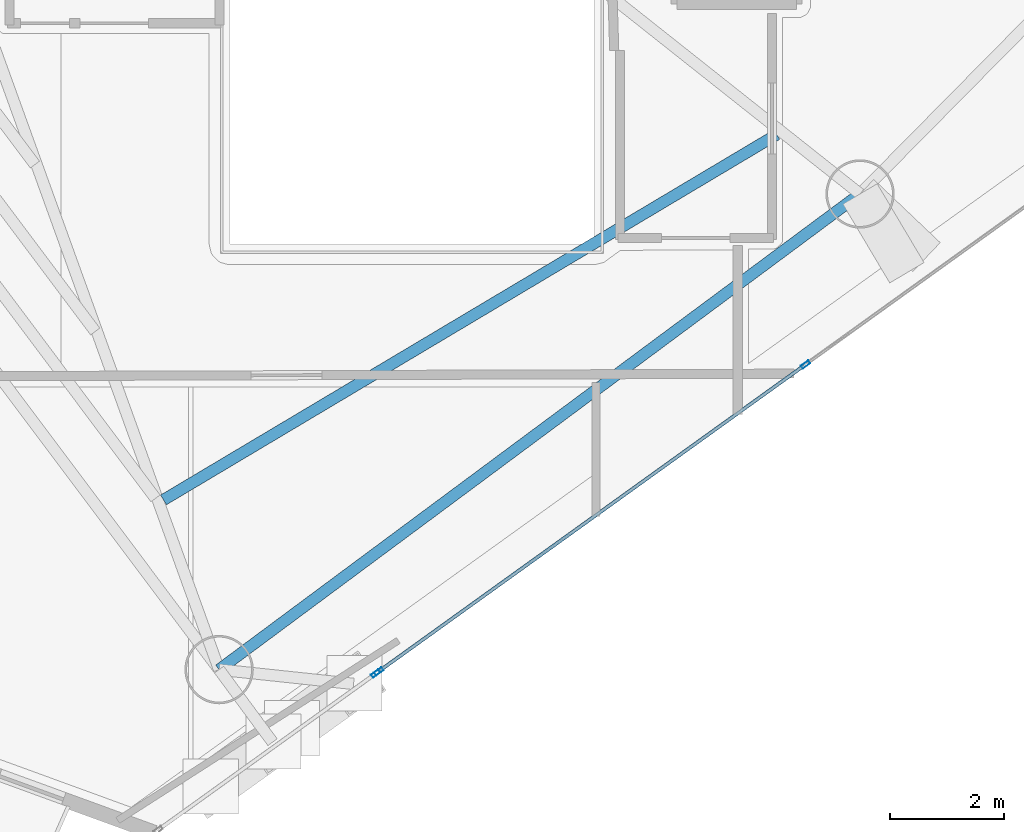
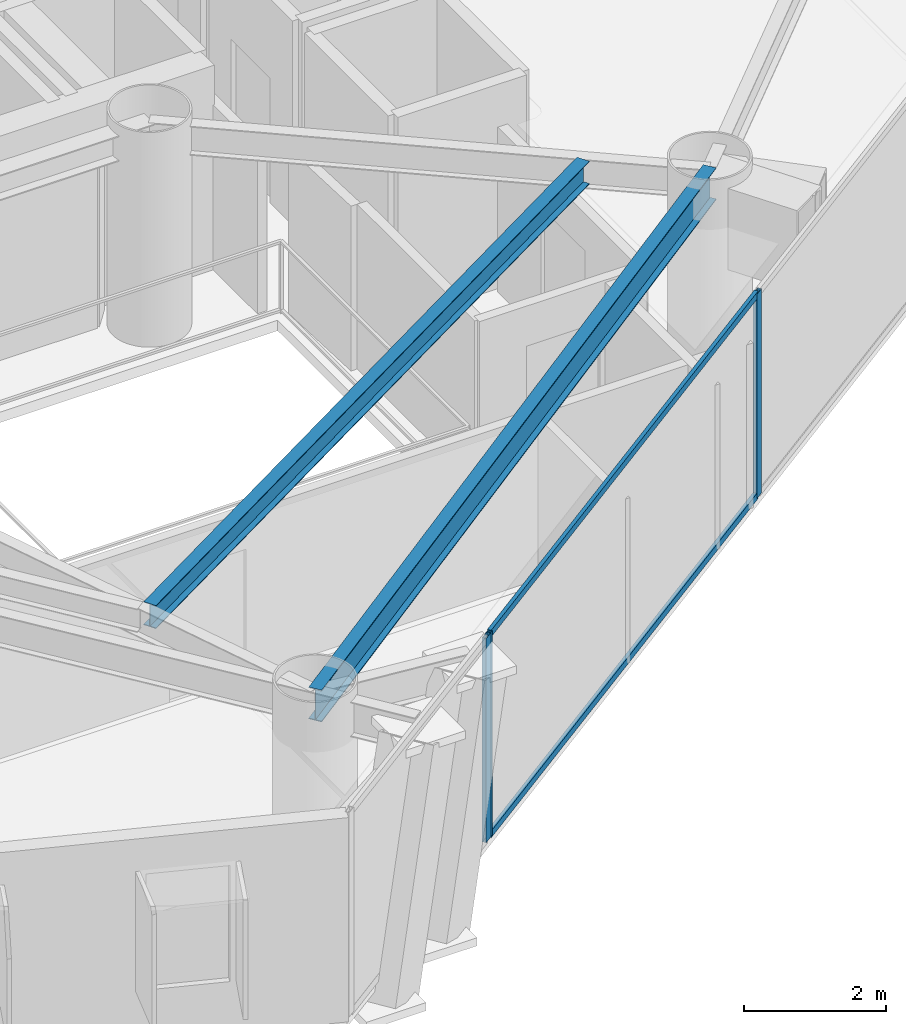
# One storey, part 6 of 22: 5 members, 2 beams, 2 elements without a shape of their own.
"""IFC4 building model written with IfcOpenShell, lengths in metres."""

import ifcopenshell
import ifcopenshell.guid

model = None  # the IFC model being written
_history = None  # IfcOwnerHistory: only IFC2X3 demands one
_inside = {}  # id of a spatial element -> (the spatial element, [elements in it])
_under = {}  # id of a project, library or spatial element -> (it, [spatial elements below it])
_declared = {}  # id of a project -> (the project, [libraries it declares])
_typed = {}  # id of a type object -> (the type object, [elements of that type])
_made_of = {}  # id of a material, layer set ... -> (it, [elements and type objects made of it])


def new_model(schema):
    """Start an empty IFC model of exactly this schema.

    Asked for "IFC4X3", IfcOpenShell would pick the latest addendum, in which some entities
    have other attributes; the version numbers below select the first issue.
    IFC2X3 requires an IfcOwnerHistory on every rooted entity: one is made here for all.
    """
    global model, _history
    if schema == "IFC4X3":
        model = ifcopenshell.file(schema_version=(4, 3, 0, 0))
    else:
        model = ifcopenshell.file(schema=schema)
    _inside.clear()
    _under.clear()
    _declared.clear()
    _typed.clear()
    _made_of.clear()
    _history = None
    if model.schema == "IFC2X3":
        org = make("IfcOrganization", Name="unknown")
        user = make(
            "IfcPersonAndOrganization",
            ThePerson=make("IfcPerson", FamilyName="unknown"),
            TheOrganization=org,
        )
        app = make(
            "IfcApplication",
            ApplicationDeveloper=org,
            Version="unknown",
            ApplicationFullName="unknown",
            ApplicationIdentifier="unknown",
        )
        _history = make(
            "IfcOwnerHistory",
            OwningUser=user,
            OwningApplication=app,
            ChangeAction="ADDED",
            CreationDate=0,
        )
    return model


def make(cls, **values):
    """One entity of the class cls with the attributes given. An attribute that is None is left unset."""
    return model.create_entity(
        cls, **{name: value for name, value in values.items() if value is not None}
    )


def rooted(cls, **values):
    """An entity with a GlobalId (a new one), such as an element, a storey or a relation."""
    return make(cls, GlobalId=ifcopenshell.guid.new(), OwnerHistory=_history, **values)


def si_unit(unit_type, name, prefix=None):
    """IfcSIUnit, for example si_unit("LENGTHUNIT", "METRE", prefix="MILLI")."""
    return make("IfcSIUnit", UnitType=unit_type, Prefix=prefix, Name=name)


def assignment(units):
    """IfcUnitAssignment: the units of a project."""
    return None if units is None else make("IfcUnitAssignment", Units=units)


def point(xyz):
    """IfcCartesianPoint."""
    return None if xyz is None else make("IfcCartesianPoint", Coordinates=xyz)


def direction(xyz):
    """IfcDirection."""
    return None if xyz is None else make("IfcDirection", DirectionRatios=xyz)


def frame(location, z_axis=None, x_axis=None):
    """IfcAxis2Placement3D, a coordinate frame: its origin and axes. An axis left out is left unset."""
    return make(
        "IfcAxis2Placement3D",
        Location=point(location),
        Axis=direction(z_axis),
        RefDirection=direction(x_axis),
    )


def frame_2d(location, x_axis=None):
    """IfcAxis2Placement2D, a coordinate frame in the plane: its origin and x axis."""
    return make(
        "IfcAxis2Placement2D", Location=point(location), RefDirection=direction(x_axis)
    )


def origin():
    """The frame at (0, 0, 0) with its axes left unset."""
    return frame((0.0, 0.0, 0.0))


def origin_2d():
    """The frame at (0, 0) in the plane with its x axis left unset."""
    return frame_2d((0.0, 0.0))


def place(relative_to, where):
    """IfcLocalPlacement: puts the frame where relative to a parent placement (None: the world)."""
    return make(
        "IfcLocalPlacement", PlacementRelTo=relative_to, RelativePlacement=where
    )


def context(
    kind, dimensions, precision=None, world=None, true_north=None, identifier=None
):
    """IfcGeometricRepresentationContext, for example the 3D "Model" context."""
    return make(
        "IfcGeometricRepresentationContext",
        ContextIdentifier=identifier,
        ContextType=kind,
        CoordinateSpaceDimension=dimensions,
        Precision=precision,
        WorldCoordinateSystem=world,
        TrueNorth=true_north,
    )


def subcontext(parent, identifier, kind, view, scale=None):
    """IfcGeometricRepresentationSubContext, for example "Body" below "Model"."""
    return make(
        "IfcGeometricRepresentationSubContext",
        ContextIdentifier=identifier,
        ContextType=kind,
        ParentContext=parent,
        TargetScale=scale,
        TargetView=view,
    )


def project(units=None, contexts=None):
    """IfcProject with its units and contexts."""
    return rooted(
        "IfcProject",
        Name="project",
        RepresentationContexts=contexts,
        UnitsInContext=assignment(units),
    )


def spatial(cls, under=None, at=None, **own):
    """A site, building, storey or space (cls), placed at a placement, below another one or the project."""
    s = rooted(cls, ObjectPlacement=at, **own)
    if under is not None:
        _under.setdefault(under.id(), (under, []))[1].append(s)
    return s


def profile(cls, at=None, kind="AREA", **sizes):
    """A parametric profile (cls). Its sizes go by their IFC names, for example OverallWidth=200.0."""
    return make(cls, ProfileType=kind, Position=at, **sizes)


def hollow_rectangle(**sizes):
    """IfcRectangleHollowProfileDef."""
    return profile("IfcRectangleHollowProfileDef", **sizes)


def i_section(**sizes):
    """IfcIShapeProfileDef."""
    return profile("IfcIShapeProfileDef", **sizes)


def extrude(swept, where, along, depth):
    """IfcExtrudedAreaSolid: the profile swept, set in the frame where, extruded along a direction by depth."""
    return make(
        "IfcExtrudedAreaSolid",
        SweptArea=swept,
        Position=where,
        ExtrudedDirection=direction(along),
        Depth=depth,
    )


def shape(context_of_items, identifier, shape_type, items):
    """IfcShapeRepresentation: the items that make up one representation, for example the "Body"."""
    return make(
        "IfcShapeRepresentation",
        ContextOfItems=context_of_items,
        RepresentationIdentifier=identifier,
        RepresentationType=shape_type,
        Items=items,
    )


def material(Name=None, Category=None):
    """IfcMaterial."""
    return make("IfcMaterial", Name=Name, Category=Category)


def layer(
    of_material, thickness, ventilated=None, Name=None, Category=None, Priority=None
):
    """IfcMaterialLayer: one layer of a wall or slab, of a material (None: an air gap)."""
    return make(
        "IfcMaterialLayer",
        Material=of_material,
        LayerThickness=thickness,
        IsVentilated=ventilated,
        Name=Name,
        Category=Category,
        Priority=Priority,
    )


def layer_set(layers, Name=None):
    """IfcMaterialLayerSet."""
    return make("IfcMaterialLayerSet", MaterialLayers=layers, LayerSetName=Name)


def material_profile(
    of_material, cross_section, Name=None, Category=None, Priority=None
):
    """IfcMaterialProfile: a cross section and its material."""
    return make(
        "IfcMaterialProfile",
        Name=Name,
        Material=of_material,
        Profile=cross_section,
        Priority=Priority,
        Category=Category,
    )


def profile_set(profiles, Name=None, composite=None):
    """IfcMaterialProfileSet."""
    return make(
        "IfcMaterialProfileSet",
        Name=Name,
        MaterialProfiles=profiles,
        CompositeProfile=composite,
    )


def made_of(thing, what):
    """Note that an element or type object is made of a material, layer set ...; save() writes the relation."""
    if what is not None:
        _made_of.setdefault(what.id(), (what, []))[1].append(thing)
    return thing


def type_object(cls, material=None, **own):
    """A type object (cls), such as IfcWallType, which elements share."""
    return made_of(rooted(cls, **own), material)


def element(
    cls,
    number,
    at=None,
    inside=None,
    cuts=None,
    type_object=None,
    material=None,
    context=None,
    identifier="Body",
    shape_type=None,
    held_by="IfcProductDefinitionShape",
    body=None,
    shapes=None,
    **own,
):
    """One element of the class cls, such as IfcWall. Its Tag is "e" and its number.

    at: its placement. inside: the storey or other place that contains it. cuts: it is an
    opening in that element (IfcRelVoidsElement). A single representation is given by context,
    identifier, shape_type and body (its items); several are given by shapes. held_by: the class
    of the entity that holds the representations. save() writes the other relations.
    """
    e = rooted(cls, Tag="e%d" % number, ObjectPlacement=at, **own)
    if body is not None:
        shapes = [shape(context, identifier, shape_type, body)]
    if shapes is not None:
        e.Representation = make(held_by, Representations=shapes)
    if inside is not None:
        _inside.setdefault(inside.id(), (inside, []))[1].append(e)
    if cuts is not None:
        rooted(
            "IfcRelVoidsElement", RelatingBuildingElement=cuts, RelatedOpeningElement=e
        )
    if type_object is not None:
        _typed.setdefault(type_object.id(), (type_object, []))[1].append(e)
    return made_of(e, material)


def aggregate(whole, parts):
    """IfcRelAggregates: a whole, such as a stair, and the parts it consists of."""
    return rooted("IfcRelAggregates", RelatingObject=whole, RelatedObjects=parts)


def save(model, path):
    """Write the relations noted so far, then the file.

    IfcRelAggregates (storeys below a building ...), IfcRelContainedInSpatialStructure (elements
    in a storey), IfcRelDefinesByType, IfcRelAssociatesMaterial and IfcRelDeclares: one each for
    every whole, place, type object, material and project.
    """
    for whole, parts in _under.values():
        aggregate(whole, parts)
    for where, things in _inside.values():
        rooted(
            "IfcRelContainedInSpatialStructure",
            RelatedElements=things,
            RelatingStructure=where,
        )
    for kind, things in _typed.values():
        rooted("IfcRelDefinesByType", RelatedObjects=things, RelatingType=kind)
    for what, things in _made_of.values():
        rooted("IfcRelAssociatesMaterial", RelatedObjects=things, RelatingMaterial=what)
    for by, libraries in _declared.values():
        rooted("IfcRelDeclares", RelatingContext=by, RelatedDefinitions=libraries)
    model.write(path)


model = new_model("IFC4")

# Units and contexts
model_context = context("Model", 3, precision=1e-05, world=origin(), true_north=direction((0.0, 1.0)))
body_context = subcontext(model_context, "Body", "Model", "MODEL_VIEW")
ifc_project = project(units=[si_unit("LENGTHUNIT", "METRE"), si_unit("AREAUNIT", "SQUARE_METRE"), si_unit("VOLUMEUNIT", "CUBIC_METRE"), si_unit("PLANEANGLEUNIT", "RADIAN"), si_unit("MASSUNIT", "GRAM", prefix="KILO")], contexts=[model_context])

# Site, building, storey
site_placement = place(None, origin())
site = spatial("IfcSite", under=ifc_project, at=site_placement, CompositionType="ELEMENT")
building_placement = place(site_placement, origin())
building = spatial("IfcBuilding", under=site, at=building_placement, Name="Qianvela Tower", CompositionType="ELEMENT")
storey_placement = place(building_placement, frame((0.0, 0.0, 204.0)))
storey = spatial("IfcBuildingStorey", under=building, at=storey_placement, Name="L52", CompositionType="ELEMENT", Elevation=204.0)

# Beams
ifc_material_1 = material(Name="Steel Q355B", Category="steel")
ifc_material_profile_1 = material_profile(ifc_material_1, i_section(OverallWidth=0.199951171875, OverallDepth=0.39990234375, WebThickness=0.008056640625, FlangeThickness=0.012939453125, at=origin_2d()), Name="HN400x200x8x13")
ifc_profile_set_1 = profile_set([ifc_material_profile_1], Name="Steel Q355B")
beam_type_1 = type_object("IfcBeamType", Name="BM-HN400-JOIST", PredefinedType="JOIST", material=ifc_profile_set_1)
beam_1_placement = place(storey_placement, frame((32.4365234375, 13.51025390625, 3.318115234375), z_axis=(0.859083505932, 0.511835451914, 0.0), x_axis=(-0.511835451914, 0.859083505932, 0.0)))
element("IfcBeam", 1, at=beam_1_placement, inside=storey, type_object=beam_type_1, Name="L52 Secondary Composite Floor Joist 5.3", PredefinedType="JOIST", context=body_context, shape_type="SweptSolid", body=[
    extrude(i_section(OverallWidth=0.199951171875, OverallDepth=0.39990234375, WebThickness=0.008056640625, FlangeThickness=0.012939453125, at=origin_2d()), origin(), (0.0, 0.0, 1.0), 12.535888671875),
])
ifc_material_2 = material(Name="Steel Q355B", Category="steel")
ifc_material_profile_2 = material_profile(ifc_material_2, i_section(OverallWidth=0.199951171875, OverallDepth=0.550048828125, WebThickness=0.010009765625, FlangeThickness=0.01611328125, at=origin_2d()), Name="HN550x200x10x16")
ifc_profile_set_2 = profile_set([ifc_material_profile_2], Name="Steel Q355B")
beam_type_2 = type_object("IfcBeamType", Name="BM-HN550-GIRD", PredefinedType="BEAM", material=ifc_profile_set_2)
beam_2_placement = place(storey_placement, frame((33.4130859375, 10.531005859375, 3.242919921875), z_axis=(0.803016810701, 0.595956375696, 0.0), x_axis=(-0.595956375696, 0.803016810701, 0.0)))
element("IfcBeam", 2, at=beam_2_placement, inside=storey, type_object=beam_type_2, Name="L52 Perimeter Ring Spandrel Girder 5", PredefinedType="BEAM", context=body_context, shape_type="SweptSolid", body=[
    extrude(i_section(OverallWidth=0.199951171875, OverallDepth=0.550048828125, WebThickness=0.010009765625, FlangeThickness=0.01611328125, at=origin_2d()), origin(), (0.0, 0.0, 1.0), 14.0146484375),
])

# Curtain wall, member
ifc_material_3 = material(Name="Anodised Architectural Aluminium and Insulated Spandrel Panel", Category="aluminium")
ifc_layer_1 = layer(ifc_material_3, 0.179931640625)
ifc_layer_set_1 = layer_set([ifc_layer_1], Name="Anodised Architectural Aluminium and Insulated Spandrel Panel")
curtain_wall_type_1 = type_object("IfcCurtainWallType", Name="CW-BRACEBAY", PredefinedType="USERDEFINED", material=ifc_layer_set_1)
curtain_wall_1_placement = place(storey_placement, origin())
curtain_wall_1 = element("IfcCurtainWall", 3, at=curtain_wall_1_placement, inside=storey, type_object=curtain_wall_type_1, Name="L52 CW-BRACEBAY Curtain Wall 06A", ObjectType="CURTAIN_WALL_SYSTEM", PredefinedType="USERDEFINED")
ifc_material_4 = material(Name="Anodised Architectural Aluminium 6063-T6", Category="aluminium")
ifc_material_profile_3 = material_profile(ifc_material_4, hollow_rectangle(XDim=0.06494140625, YDim=0.159912109375, WallThickness=0.0048828125, at=origin_2d()), Name="ALU-MULL-65x160")
ifc_profile_set_3 = profile_set([ifc_material_profile_3], Name="Anodised Architectural Aluminium 6063-T6")
member_type_1 = type_object("IfcMemberType", Name="CW-BRACEBAY-MULL", PredefinedType="MULLION", material=ifc_profile_set_3)
member_1_placement = place(storey_placement, frame((36.163818359375, 10.46142578125, 0.0), z_axis=(0.0, 0.0, 1.0), x_axis=(-0.58371639372, 0.811957616937, 0.0)))
member_1 = element("IfcMember", 4, at=member_1_placement, type_object=member_type_1, Name="CW-9 mullion 2", PredefinedType="MULLION", context=body_context, shape_type="SweptSolid", body=[
    extrude(hollow_rectangle(XDim=0.06494140625, YDim=0.159912109375, WallThickness=0.0048828125, at=origin_2d()), origin(), (0.0, 0.0, 1.0), 3.52001953125),
])
aggregate(curtain_wall_1, [member_1])

# Curtain wall, members
ifc_material_5 = material(Name="Anodised Architectural Aluminium and Low-E Glass", Category="aluminium")
ifc_layer_2 = layer(ifc_material_5, 0.159912109375)
ifc_layer_set_2 = layer_set([ifc_layer_2], Name="Anodised Architectural Aluminium and Low-E Glass")
curtain_wall_type_2 = type_object("IfcCurtainWallType", Name="CW-COLIV-Z56", PredefinedType="USERDEFINED", material=ifc_layer_set_2)
curtain_wall_2_placement = place(storey_placement, origin())
curtain_wall_2 = element("IfcCurtainWall", 5, at=curtain_wall_2_placement, inside=storey, type_object=curtain_wall_type_2, Name="L52 CW-COLIV-Z56 Curtain Wall 06B", ObjectType="CURTAIN_WALL_SYSTEM", PredefinedType="USERDEFINED")
ifc_material_6 = material(Name="Anodised Architectural Aluminium 6063-T6", Category="aluminium")
ifc_material_profile_4 = material_profile(ifc_material_6, hollow_rectangle(XDim=0.06494140625, YDim=0.159912109375, WallThickness=0.0048828125, at=origin_2d()), Name="ALU-MULL-65x160")
ifc_profile_set_4 = profile_set([ifc_material_profile_4], Name="Anodised Architectural Aluminium 6063-T6")
member_type_2 = type_object("IfcMemberType", Name="CW-COLIV-Z56-MULL", PredefinedType="MULLION", material=ifc_profile_set_4)
member_2_placement = place(storey_placement, frame((36.216552734375, 10.49951171875, 0.0), z_axis=(0.0, 0.0, 1.0), x_axis=(-0.583724581505, 0.811951730676, 0.0)))
member_2 = element("IfcMember", 6, at=member_2_placement, type_object=member_type_2, Name="CW-5 mullion 1", PredefinedType="MULLION", context=body_context, shape_type="SweptSolid", body=[
    extrude(hollow_rectangle(XDim=0.06494140625, YDim=0.159912109375, WallThickness=0.0048828125, at=origin_2d()), origin(), (0.0, 0.0, 1.0), 3.52001953125),
])
member_3_placement = place(storey_placement, frame((43.711181640625, 15.887451171875, 0.0), z_axis=(0.0, 0.0, 1.0), x_axis=(-0.583724581505, 0.811951730676, 0.0)))
member_3 = element("IfcMember", 7, at=member_3_placement, type_object=member_type_2, Name="CW-5 mullion 2", PredefinedType="MULLION", context=body_context, shape_type="SweptSolid", body=[
    extrude(hollow_rectangle(XDim=0.06494140625, YDim=0.159912109375, WallThickness=0.0048828125, at=origin_2d()), origin(), (0.0, 0.0, 1.0), 3.52001953125),
])
ifc_material_7 = material(Name="Anodised Architectural Aluminium 6063-T6", Category="aluminium")
ifc_material_profile_5 = material_profile(ifc_material_7, hollow_rectangle(XDim=0.06005859375, YDim=0.114990234375, WallThickness=0.00390625, at=origin_2d()), Name="ALU-TRAN-60x115")
ifc_profile_set_5 = profile_set([ifc_material_profile_5], Name="Anodised Architectural Aluminium 6063-T6")
member_type_3 = type_object("IfcMemberType", Name="CW-COLIV-Z56-TRAN", PredefinedType="USERDEFINED", material=ifc_profile_set_5)
member_4_placement = place(storey_placement, frame((36.242919921875, 10.5185546875, 0.030029296875), z_axis=(0.811955006815, 0.58372002442, 0.0), x_axis=(-0.58372002442, 0.811955006815, 0.0)))
member_4 = element("IfcMember", 8, at=member_4_placement, type_object=member_type_3, Name="CW-5 transom 1.1", ObjectType="TRANSOM", PredefinedType="USERDEFINED", context=body_context, shape_type="SweptSolid", body=[
    extrude(hollow_rectangle(XDim=0.06005859375, YDim=0.114990234375, WallThickness=0.00390625, at=origin_2d()), origin(), (0.0, 0.0, 1.0), 9.1650390625),
])
member_5_placement = place(storey_placement, frame((36.242919921875, 10.5185546875, 3.489990234375), z_axis=(0.811955006815, 0.58372002442, 0.0), x_axis=(-0.58372002442, 0.811955006815, 0.0)))
member_5 = element("IfcMember", 9, at=member_5_placement, type_object=member_type_3, Name="CW-5 transom 1.2", ObjectType="TRANSOM", PredefinedType="USERDEFINED", context=body_context, shape_type="SweptSolid", body=[
    extrude(hollow_rectangle(XDim=0.06005859375, YDim=0.114990234375, WallThickness=0.00390625, at=origin_2d()), origin(), (0.0, 0.0, 1.0), 9.1650390625),
])
aggregate(curtain_wall_2, [member_2, member_3, member_4, member_5])

save(model, "model.ifc")
